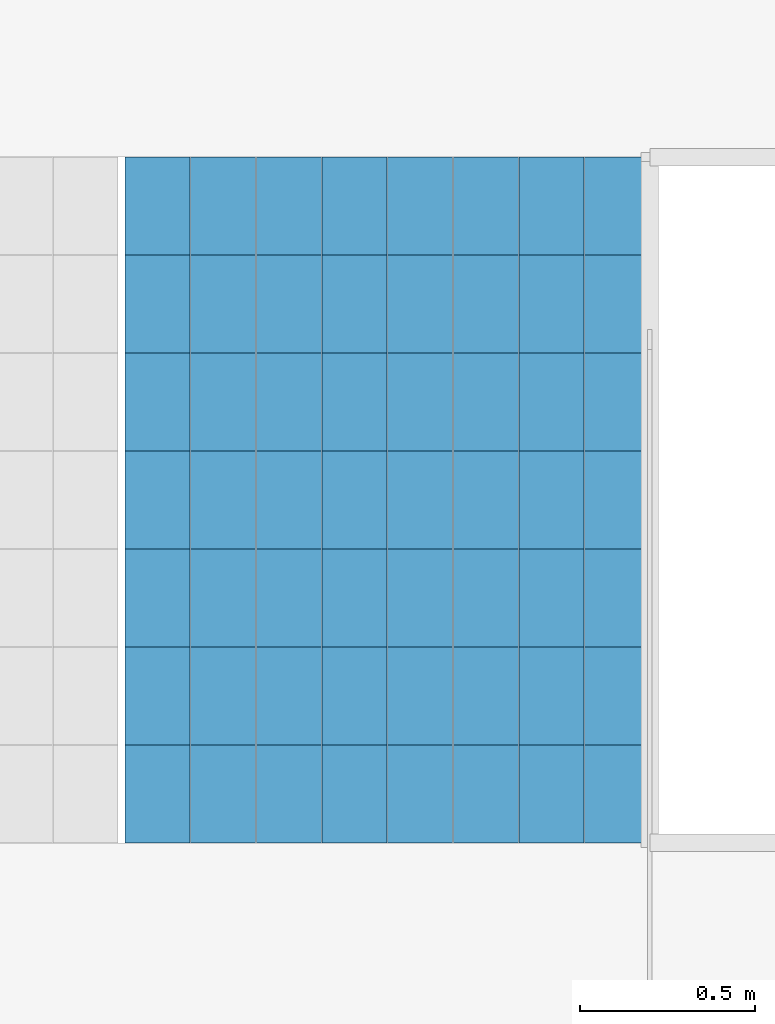
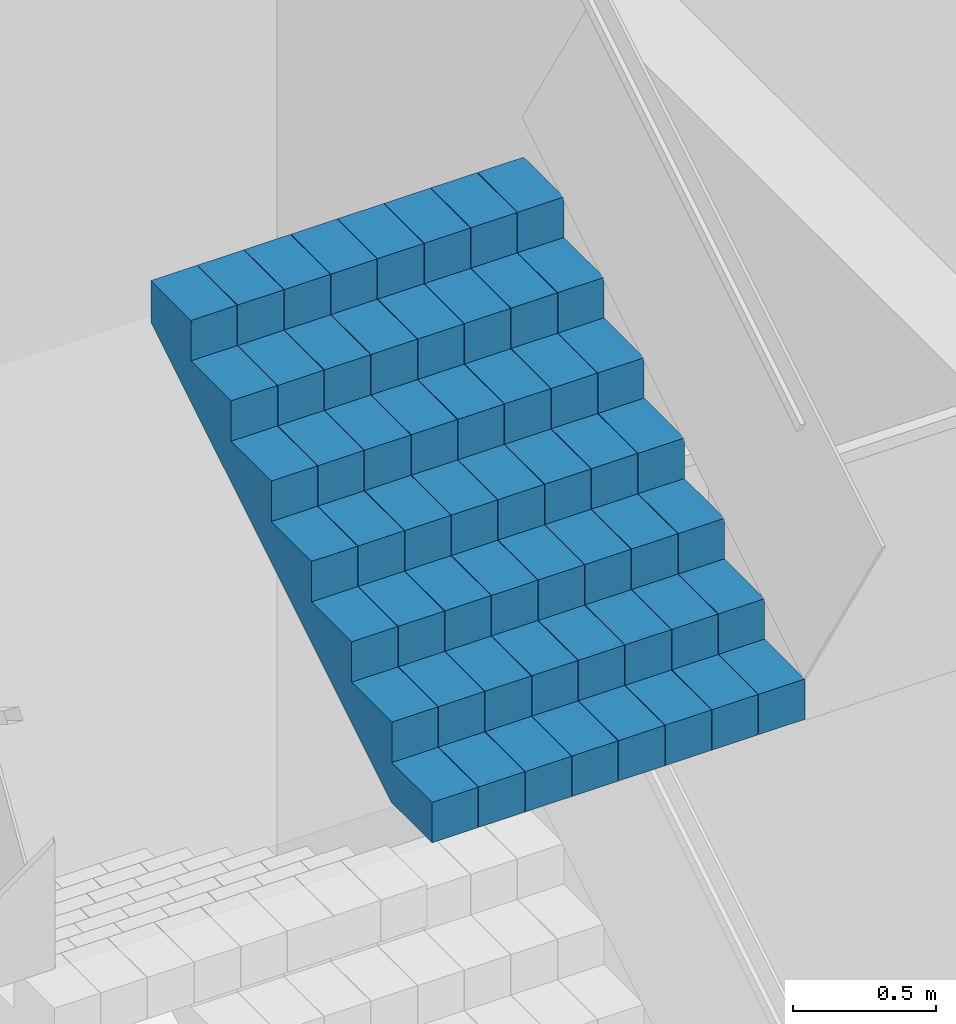
# One storey, part 29 of 32: 1 stair flight, 1 element without a shape of its own.
"""IFC4 building model written with IfcOpenShell, lengths in metres."""

import ifcopenshell
import ifcopenshell.guid

model = None  # the IFC model being written
_history = None  # IfcOwnerHistory: only IFC2X3 demands one
_inside = {}  # id of a spatial element -> (the spatial element, [elements in it])
_under = {}  # id of a project, library or spatial element -> (it, [spatial elements below it])
_declared = {}  # id of a project -> (the project, [libraries it declares])
_typed = {}  # id of a type object -> (the type object, [elements of that type])
_made_of = {}  # id of a material, layer set ... -> (it, [elements and type objects made of it])


def new_model(schema):
    """Start an empty IFC model of exactly this schema.

    Asked for "IFC4X3", IfcOpenShell would pick the latest addendum, in which some entities
    have other attributes; the version numbers below select the first issue.
    IFC2X3 requires an IfcOwnerHistory on every rooted entity: one is made here for all.
    """
    global model, _history
    if schema == "IFC4X3":
        model = ifcopenshell.file(schema_version=(4, 3, 0, 0))
    else:
        model = ifcopenshell.file(schema=schema)
    _inside.clear()
    _under.clear()
    _declared.clear()
    _typed.clear()
    _made_of.clear()
    _history = None
    if model.schema == "IFC2X3":
        org = make("IfcOrganization", Name="unknown")
        user = make(
            "IfcPersonAndOrganization",
            ThePerson=make("IfcPerson", FamilyName="unknown"),
            TheOrganization=org,
        )
        app = make(
            "IfcApplication",
            ApplicationDeveloper=org,
            Version="unknown",
            ApplicationFullName="unknown",
            ApplicationIdentifier="unknown",
        )
        _history = make(
            "IfcOwnerHistory",
            OwningUser=user,
            OwningApplication=app,
            ChangeAction="ADDED",
            CreationDate=0,
        )
    return model


def make(cls, **values):
    """One entity of the class cls with the attributes given. An attribute that is None is left unset."""
    return model.create_entity(
        cls, **{name: value for name, value in values.items() if value is not None}
    )


def rooted(cls, **values):
    """An entity with a GlobalId (a new one), such as an element, a storey or a relation."""
    return make(cls, GlobalId=ifcopenshell.guid.new(), OwnerHistory=_history, **values)


def si_unit(unit_type, name, prefix=None):
    """IfcSIUnit, for example si_unit("LENGTHUNIT", "METRE", prefix="MILLI")."""
    return make("IfcSIUnit", UnitType=unit_type, Prefix=prefix, Name=name)


def assignment(units):
    """IfcUnitAssignment: the units of a project."""
    return None if units is None else make("IfcUnitAssignment", Units=units)


def point(xyz):
    """IfcCartesianPoint."""
    return None if xyz is None else make("IfcCartesianPoint", Coordinates=xyz)


def direction(xyz):
    """IfcDirection."""
    return None if xyz is None else make("IfcDirection", DirectionRatios=xyz)


def frame(location, z_axis=None, x_axis=None):
    """IfcAxis2Placement3D, a coordinate frame: its origin and axes. An axis left out is left unset."""
    return make(
        "IfcAxis2Placement3D",
        Location=point(location),
        Axis=direction(z_axis),
        RefDirection=direction(x_axis),
    )


def origin():
    """The frame at (0, 0, 0) with its axes left unset."""
    return frame((0.0, 0.0, 0.0))


def place(relative_to, where):
    """IfcLocalPlacement: puts the frame where relative to a parent placement (None: the world)."""
    return make(
        "IfcLocalPlacement", PlacementRelTo=relative_to, RelativePlacement=where
    )


def context(
    kind, dimensions, precision=None, world=None, true_north=None, identifier=None
):
    """IfcGeometricRepresentationContext, for example the 3D "Model" context."""
    return make(
        "IfcGeometricRepresentationContext",
        ContextIdentifier=identifier,
        ContextType=kind,
        CoordinateSpaceDimension=dimensions,
        Precision=precision,
        WorldCoordinateSystem=world,
        TrueNorth=true_north,
    )


def subcontext(parent, identifier, kind, view, scale=None):
    """IfcGeometricRepresentationSubContext, for example "Body" below "Model"."""
    return make(
        "IfcGeometricRepresentationSubContext",
        ContextIdentifier=identifier,
        ContextType=kind,
        ParentContext=parent,
        TargetScale=scale,
        TargetView=view,
    )


def project(units=None, contexts=None):
    """IfcProject with its units and contexts."""
    return rooted(
        "IfcProject",
        Name="project",
        RepresentationContexts=contexts,
        UnitsInContext=assignment(units),
    )


def spatial(cls, under=None, at=None, **own):
    """A site, building, storey or space (cls), placed at a placement, below another one or the project."""
    s = rooted(cls, ObjectPlacement=at, **own)
    if under is not None:
        _under.setdefault(under.id(), (under, []))[1].append(s)
    return s


def polyline(points):
    """IfcPolyline through the points."""
    return make("IfcPolyline", Points=[point(p) for p in points])


def outline(outer, holes=None, kind="AREA"):
    """IfcArbitraryClosedProfileDef: a profile drawn as a closed curve; with holes, ...WithVoids."""
    if holes is None:
        return make("IfcArbitraryClosedProfileDef", ProfileType=kind, OuterCurve=outer)
    return make(
        "IfcArbitraryProfileDefWithVoids",
        ProfileType=kind,
        OuterCurve=outer,
        InnerCurves=holes,
    )


def extrude(swept, where, along, depth):
    """IfcExtrudedAreaSolid: the profile swept, set in the frame where, extruded along a direction by depth."""
    return make(
        "IfcExtrudedAreaSolid",
        SweptArea=swept,
        Position=where,
        ExtrudedDirection=direction(along),
        Depth=depth,
    )


def shape(context_of_items, identifier, shape_type, items):
    """IfcShapeRepresentation: the items that make up one representation, for example the "Body"."""
    return make(
        "IfcShapeRepresentation",
        ContextOfItems=context_of_items,
        RepresentationIdentifier=identifier,
        RepresentationType=shape_type,
        Items=items,
    )


def material(Name=None, Category=None):
    """IfcMaterial."""
    return make("IfcMaterial", Name=Name, Category=Category)


def made_of(thing, what):
    """Note that an element or type object is made of a material, layer set ...; save() writes the relation."""
    if what is not None:
        _made_of.setdefault(what.id(), (what, []))[1].append(thing)
    return thing


def type_object(cls, material=None, **own):
    """A type object (cls), such as IfcWallType, which elements share."""
    return made_of(rooted(cls, **own), material)


def element(
    cls,
    number,
    at=None,
    inside=None,
    cuts=None,
    type_object=None,
    material=None,
    context=None,
    identifier="Body",
    shape_type=None,
    held_by="IfcProductDefinitionShape",
    body=None,
    shapes=None,
    **own,
):
    """One element of the class cls, such as IfcWall. Its Tag is "e" and its number.

    at: its placement. inside: the storey or other place that contains it. cuts: it is an
    opening in that element (IfcRelVoidsElement). A single representation is given by context,
    identifier, shape_type and body (its items); several are given by shapes. held_by: the class
    of the entity that holds the representations. save() writes the other relations.
    """
    e = rooted(cls, Tag="e%d" % number, ObjectPlacement=at, **own)
    if body is not None:
        shapes = [shape(context, identifier, shape_type, body)]
    if shapes is not None:
        e.Representation = make(held_by, Representations=shapes)
    if inside is not None:
        _inside.setdefault(inside.id(), (inside, []))[1].append(e)
    if cuts is not None:
        rooted(
            "IfcRelVoidsElement", RelatingBuildingElement=cuts, RelatedOpeningElement=e
        )
    if type_object is not None:
        _typed.setdefault(type_object.id(), (type_object, []))[1].append(e)
    return made_of(e, material)


def aggregate(whole, parts):
    """IfcRelAggregates: a whole, such as a stair, and the parts it consists of."""
    return rooted("IfcRelAggregates", RelatingObject=whole, RelatedObjects=parts)


def save(model, path):
    """Write the relations noted so far, then the file.

    IfcRelAggregates (storeys below a building ...), IfcRelContainedInSpatialStructure (elements
    in a storey), IfcRelDefinesByType, IfcRelAssociatesMaterial and IfcRelDeclares: one each for
    every whole, place, type object, material and project.
    """
    for whole, parts in _under.values():
        aggregate(whole, parts)
    for where, things in _inside.values():
        rooted(
            "IfcRelContainedInSpatialStructure",
            RelatedElements=things,
            RelatingStructure=where,
        )
    for kind, things in _typed.values():
        rooted("IfcRelDefinesByType", RelatedObjects=things, RelatingType=kind)
    for what, things in _made_of.values():
        rooted("IfcRelAssociatesMaterial", RelatedObjects=things, RelatingMaterial=what)
    for by, libraries in _declared.values():
        rooted("IfcRelDeclares", RelatingContext=by, RelatedDefinitions=libraries)
    model.write(path)


model = new_model("IFC4")

# Units and contexts
model_context = context("Model", 3, precision=1e-05, world=origin(), true_north=direction((0.0, 1.0)))
body_context = subcontext(model_context, "Body", "Model", "MODEL_VIEW")
ifc_project = project(units=[si_unit("LENGTHUNIT", "METRE"), si_unit("AREAUNIT", "SQUARE_METRE"), si_unit("VOLUMEUNIT", "CUBIC_METRE"), si_unit("PLANEANGLEUNIT", "RADIAN"), si_unit("MASSUNIT", "GRAM", prefix="KILO")], contexts=[model_context])

# Site, building, storey
site_placement = place(None, origin())
site = spatial("IfcSite", under=ifc_project, at=site_placement, CompositionType="ELEMENT")
building_placement = place(site_placement, origin())
building = spatial("IfcBuilding", under=site, at=building_placement, Name="Kolab Exchange Tower", CompositionType="ELEMENT")
storey_placement = place(building_placement, frame((0.0, 0.0, 60.89990234375)))
storey = spatial("IfcBuildingStorey", under=building, at=storey_placement, Name="L11", CompositionType="ELEMENT", Elevation=60.89990234375)

# Stair, stair flight
ifc_material = material(Name="Concrete C50/60", Category="concrete")
stair_type = type_object("IfcStairType", Name="STAIR ST4 RISER 171.9", PredefinedType="DOUBLE_RETURN_STAIR", material=ifc_material)
stair_placement = place(storey_placement, origin())
stair = element("IfcStair", 1, at=stair_placement, inside=storey, type_object=stair_type, Name="Stair 4", PredefinedType="DOUBLE_RETURN_STAIR")
stair_flight_type = type_object("IfcStairFlightType", Name="STAIR FLIGHT 1500 RISER 171.9", PredefinedType="STRAIGHT", material=ifc_material)
stair_flight_placement = place(storey_placement, frame((19.9599609375, -1.31005859375, 4.125), z_axis=(0.0, 0.0, 1.0), x_axis=(0.0, 1.0, 0.0)))
stair_flight = element("IfcStairFlight", 2, at=stair_flight_placement, type_object=stair_flight_type, Name="ST4 flight 4", NumberOfRisers=8, NumberOfTreads=7, PredefinedType="STRAIGHT", RiserHeight=0.171875, TreadLength=0.28, context=body_context, shape_type="SweptSolid", body=[
    extrude(outline(polyline([(0.0, 0.0), (0.0, 0.171875), (0.280029296875, 0.171875), (0.280029296875, 0.34375), (0.56005859375, 0.34375), (0.56005859375, 0.515625), (0.840087890625, 0.515625), (0.840087890625, 0.6875), (1.1201171875, 0.6875), (1.1201171875, 0.859375), (1.39990234375, 0.859375), (1.39990234375, 1.03125), (1.679931640625, 1.03125), (1.679931640625, 1.203125), (1.9599609375, 1.203125), (1.9599609375, 1.375), (1.9599609375, 1.02734375), (0.28662109375, 0.0), (0.0, 0.0)])), frame((0.0, 0.75, 0.0), z_axis=(0.0, -1.0, 0.0), x_axis=(1.0, 0.0, 0.0)), (0.0, 0.0, 1.0), 0.185791015625),
    extrude(outline(polyline([(0.0, 0.0), (0.0, 0.171875), (0.280029296875, 0.171875), (0.280029296875, 0.34375), (0.56005859375, 0.34375), (0.56005859375, 0.515625), (0.840087890625, 0.515625), (0.840087890625, 0.6875), (1.1201171875, 0.6875), (1.1201171875, 0.859375), (1.39990234375, 0.859375), (1.39990234375, 1.03125), (1.679931640625, 1.03125), (1.679931640625, 1.203125), (1.9599609375, 1.203125), (1.9599609375, 1.375), (1.9599609375, 1.02734375), (0.28662109375, 0.0), (0.0, 0.0)])), frame((0.0, 0.562255859375, 0.0), z_axis=(0.0, -1.0, 0.0), x_axis=(1.0, 0.0, 0.0)), (0.0, 0.0, 1.0), 0.185791015625),
    extrude(outline(polyline([(0.0, 0.0), (0.0, 0.171875), (0.280029296875, 0.171875), (0.280029296875, 0.34375), (0.56005859375, 0.34375), (0.56005859375, 0.515625), (0.840087890625, 0.515625), (0.840087890625, 0.6875), (1.1201171875, 0.6875), (1.1201171875, 0.859375), (1.39990234375, 0.859375), (1.39990234375, 1.03125), (1.679931640625, 1.03125), (1.679931640625, 1.203125), (1.9599609375, 1.203125), (1.9599609375, 1.375), (1.9599609375, 1.02734375), (0.28662109375, 0.0), (0.0, 0.0)])), frame((0.0, 0.37451171875, 0.0), z_axis=(0.0, -1.0, 0.0), x_axis=(1.0, 0.0, 0.0)), (0.0, 0.0, 1.0), 0.185791015625),
    extrude(outline(polyline([(0.0, 0.0), (0.0, 0.171875), (0.280029296875, 0.171875), (0.280029296875, 0.34375), (0.56005859375, 0.34375), (0.56005859375, 0.515625), (0.840087890625, 0.515625), (0.840087890625, 0.6875), (1.1201171875, 0.6875), (1.1201171875, 0.859375), (1.39990234375, 0.859375), (1.39990234375, 1.03125), (1.679931640625, 1.03125), (1.679931640625, 1.203125), (1.9599609375, 1.203125), (1.9599609375, 1.375), (1.9599609375, 1.02734375), (0.28662109375, 0.0), (0.0, 0.0)])), frame((0.0, 0.186767578125, 0.0), z_axis=(0.0, -1.0, 0.0), x_axis=(1.0, 0.0, 0.0)), (0.0, 0.0, 1.0), 0.185791015625),
    extrude(outline(polyline([(0.0, 0.0), (0.0, 0.171875), (0.280029296875, 0.171875), (0.280029296875, 0.34375), (0.56005859375, 0.34375), (0.56005859375, 0.515625), (0.840087890625, 0.515625), (0.840087890625, 0.6875), (1.1201171875, 0.6875), (1.1201171875, 0.859375), (1.39990234375, 0.859375), (1.39990234375, 1.03125), (1.679931640625, 1.03125), (1.679931640625, 1.203125), (1.9599609375, 1.203125), (1.9599609375, 1.375), (1.9599609375, 1.02734375), (0.28662109375, 0.0), (0.0, 0.0)])), frame((0.0, -0.0009765625, 0.0), z_axis=(0.0, -1.0, 0.0), x_axis=(1.0, 0.0, 0.0)), (0.0, 0.0, 1.0), 0.185791015625),
    extrude(outline(polyline([(0.0, 0.0), (0.0, 0.171875), (0.280029296875, 0.171875), (0.280029296875, 0.34375), (0.56005859375, 0.34375), (0.56005859375, 0.515625), (0.840087890625, 0.515625), (0.840087890625, 0.6875), (1.1201171875, 0.6875), (1.1201171875, 0.859375), (1.39990234375, 0.859375), (1.39990234375, 1.03125), (1.679931640625, 1.03125), (1.679931640625, 1.203125), (1.9599609375, 1.203125), (1.9599609375, 1.375), (1.9599609375, 1.02734375), (0.28662109375, 0.0), (0.0, 0.0)])), frame((0.0, -0.188720703125, 0.0), z_axis=(0.0, -1.0, 0.0), x_axis=(1.0, 0.0, 0.0)), (0.0, 0.0, 1.0), 0.185791015625),
    extrude(outline(polyline([(0.0, 0.0), (0.0, 0.171875), (0.280029296875, 0.171875), (0.280029296875, 0.34375), (0.56005859375, 0.34375), (0.56005859375, 0.515625), (0.840087890625, 0.515625), (0.840087890625, 0.6875), (1.1201171875, 0.6875), (1.1201171875, 0.859375), (1.39990234375, 0.859375), (1.39990234375, 1.03125), (1.679931640625, 1.03125), (1.679931640625, 1.203125), (1.9599609375, 1.203125), (1.9599609375, 1.375), (1.9599609375, 1.02734375), (0.28662109375, 0.0), (0.0, 0.0)])), frame((0.0, -0.37646484375, 0.0), z_axis=(0.0, -1.0, 0.0), x_axis=(1.0, 0.0, 0.0)), (0.0, 0.0, 1.0), 0.185791015625),
    extrude(outline(polyline([(0.0, 0.0), (0.0, 0.171875), (0.280029296875, 0.171875), (0.280029296875, 0.34375), (0.56005859375, 0.34375), (0.56005859375, 0.515625), (0.840087890625, 0.515625), (0.840087890625, 0.6875), (1.1201171875, 0.6875), (1.1201171875, 0.859375), (1.39990234375, 0.859375), (1.39990234375, 1.03125), (1.679931640625, 1.03125), (1.679931640625, 1.203125), (1.9599609375, 1.203125), (1.9599609375, 1.375), (1.9599609375, 1.02734375), (0.28662109375, 0.0), (0.0, 0.0)])), frame((0.0, -0.564208984375, 0.0), z_axis=(0.0, -1.0, 0.0), x_axis=(1.0, 0.0, 0.0)), (0.0, 0.0, 1.0), 0.185791015625),
])
aggregate(stair, [stair_flight])

save(model, "model.ifc")
